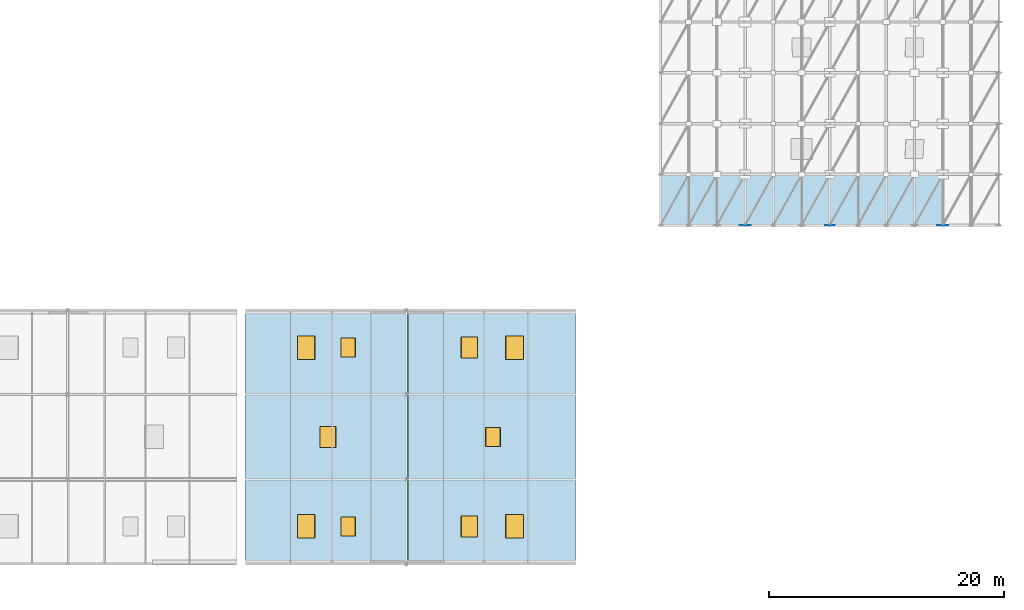
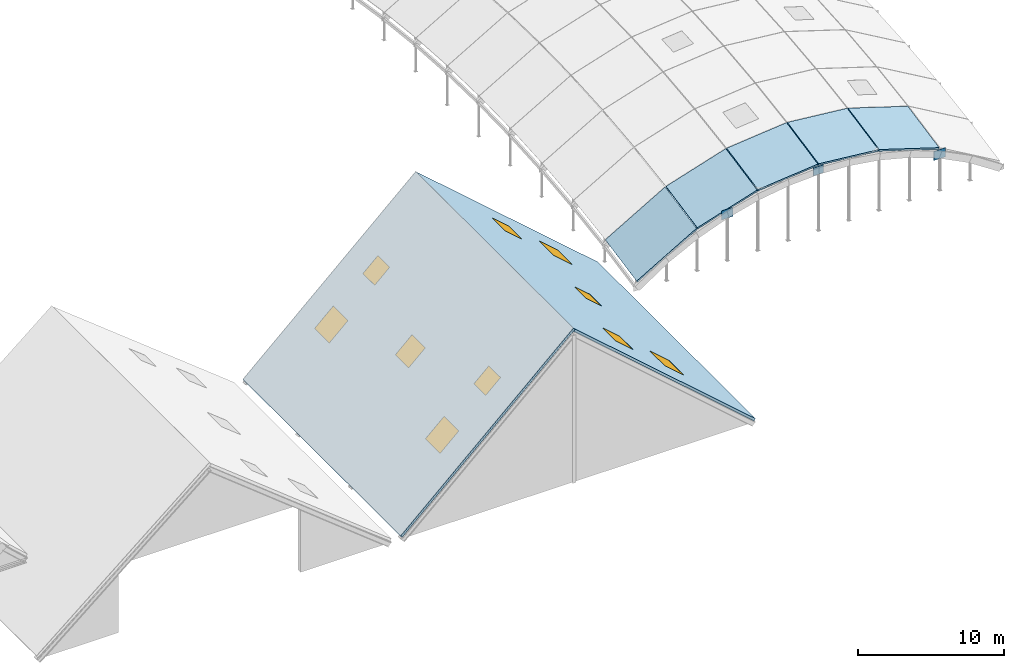
# One storey, part 21 of 35: 10 windows, 7 slabs, 3 plates, 10 openings.
"""IFC4 building model written with IfcOpenShell, lengths in metres."""

import ifcopenshell
import ifcopenshell.guid

model = None  # the IFC model being written
_history = None  # IfcOwnerHistory: only IFC2X3 demands one
_inside = {}  # id of a spatial element -> (the spatial element, [elements in it])
_under = {}  # id of a project, library or spatial element -> (it, [spatial elements below it])
_declared = {}  # id of a project -> (the project, [libraries it declares])
_typed = {}  # id of a type object -> (the type object, [elements of that type])
_made_of = {}  # id of a material, layer set ... -> (it, [elements and type objects made of it])


def new_model(schema):
    """Start an empty IFC model of exactly this schema.

    Asked for "IFC4X3", IfcOpenShell would pick the latest addendum, in which some entities
    have other attributes; the version numbers below select the first issue.
    IFC2X3 requires an IfcOwnerHistory on every rooted entity: one is made here for all.
    """
    global model, _history
    if schema == "IFC4X3":
        model = ifcopenshell.file(schema_version=(4, 3, 0, 0))
    else:
        model = ifcopenshell.file(schema=schema)
    _inside.clear()
    _under.clear()
    _declared.clear()
    _typed.clear()
    _made_of.clear()
    _history = None
    if model.schema == "IFC2X3":
        org = make("IfcOrganization", Name="unknown")
        user = make(
            "IfcPersonAndOrganization",
            ThePerson=make("IfcPerson", FamilyName="unknown"),
            TheOrganization=org,
        )
        app = make(
            "IfcApplication",
            ApplicationDeveloper=org,
            Version="unknown",
            ApplicationFullName="unknown",
            ApplicationIdentifier="unknown",
        )
        _history = make(
            "IfcOwnerHistory",
            OwningUser=user,
            OwningApplication=app,
            ChangeAction="ADDED",
            CreationDate=0,
        )
    return model


def make(cls, **values):
    """One entity of the class cls with the attributes given. An attribute that is None is left unset."""
    return model.create_entity(
        cls, **{name: value for name, value in values.items() if value is not None}
    )


def rooted(cls, **values):
    """An entity with a GlobalId (a new one), such as an element, a storey or a relation."""
    return make(cls, GlobalId=ifcopenshell.guid.new(), OwnerHistory=_history, **values)


def si_unit(unit_type, name, prefix=None):
    """IfcSIUnit, for example si_unit("LENGTHUNIT", "METRE", prefix="MILLI")."""
    return make("IfcSIUnit", UnitType=unit_type, Prefix=prefix, Name=name)


def assignment(units):
    """IfcUnitAssignment: the units of a project."""
    return None if units is None else make("IfcUnitAssignment", Units=units)


def point(xyz):
    """IfcCartesianPoint."""
    return None if xyz is None else make("IfcCartesianPoint", Coordinates=xyz)


def direction(xyz):
    """IfcDirection."""
    return None if xyz is None else make("IfcDirection", DirectionRatios=xyz)


def frame(location, z_axis=None, x_axis=None):
    """IfcAxis2Placement3D, a coordinate frame: its origin and axes. An axis left out is left unset."""
    return make(
        "IfcAxis2Placement3D",
        Location=point(location),
        Axis=direction(z_axis),
        RefDirection=direction(x_axis),
    )


def frame_2d(location, x_axis=None):
    """IfcAxis2Placement2D, a coordinate frame in the plane: its origin and x axis."""
    return make(
        "IfcAxis2Placement2D", Location=point(location), RefDirection=direction(x_axis)
    )


def origin():
    """The frame at (0, 0, 0) with its axes left unset."""
    return frame((0.0, 0.0, 0.0))


def origin_2d():
    """The frame at (0, 0) in the plane with its x axis left unset."""
    return frame_2d((0.0, 0.0))


def place(relative_to, where):
    """IfcLocalPlacement: puts the frame where relative to a parent placement (None: the world)."""
    return make(
        "IfcLocalPlacement", PlacementRelTo=relative_to, RelativePlacement=where
    )


def context(
    kind, dimensions, precision=None, world=None, true_north=None, identifier=None
):
    """IfcGeometricRepresentationContext, for example the 3D "Model" context."""
    return make(
        "IfcGeometricRepresentationContext",
        ContextIdentifier=identifier,
        ContextType=kind,
        CoordinateSpaceDimension=dimensions,
        Precision=precision,
        WorldCoordinateSystem=world,
        TrueNorth=true_north,
    )


def subcontext(parent, identifier, kind, view, scale=None):
    """IfcGeometricRepresentationSubContext, for example "Body" below "Model"."""
    return make(
        "IfcGeometricRepresentationSubContext",
        ContextIdentifier=identifier,
        ContextType=kind,
        ParentContext=parent,
        TargetScale=scale,
        TargetView=view,
    )


def project(units=None, contexts=None):
    """IfcProject with its units and contexts."""
    return rooted(
        "IfcProject",
        Name="project",
        RepresentationContexts=contexts,
        UnitsInContext=assignment(units),
    )


def spatial(cls, under=None, at=None, **own):
    """A site, building, storey or space (cls), placed at a placement, below another one or the project."""
    s = rooted(cls, ObjectPlacement=at, **own)
    if under is not None:
        _under.setdefault(under.id(), (under, []))[1].append(s)
    return s


def polyline(points):
    """IfcPolyline through the points."""
    return make("IfcPolyline", Points=[point(p) for p in points])


def profile(cls, at=None, kind="AREA", **sizes):
    """A parametric profile (cls). Its sizes go by their IFC names, for example OverallWidth=200.0."""
    return make(cls, ProfileType=kind, Position=at, **sizes)


def rectangle(**sizes):
    """IfcRectangleProfileDef."""
    return profile("IfcRectangleProfileDef", **sizes)


def outline(outer, holes=None, kind="AREA"):
    """IfcArbitraryClosedProfileDef: a profile drawn as a closed curve; with holes, ...WithVoids."""
    if holes is None:
        return make("IfcArbitraryClosedProfileDef", ProfileType=kind, OuterCurve=outer)
    return make(
        "IfcArbitraryProfileDefWithVoids",
        ProfileType=kind,
        OuterCurve=outer,
        InnerCurves=holes,
    )


def extrude(swept, where, along, depth):
    """IfcExtrudedAreaSolid: the profile swept, set in the frame where, extruded along a direction by depth."""
    return make(
        "IfcExtrudedAreaSolid",
        SweptArea=swept,
        Position=where,
        ExtrudedDirection=direction(along),
        Depth=depth,
    )


def shape(context_of_items, identifier, shape_type, items):
    """IfcShapeRepresentation: the items that make up one representation, for example the "Body"."""
    return make(
        "IfcShapeRepresentation",
        ContextOfItems=context_of_items,
        RepresentationIdentifier=identifier,
        RepresentationType=shape_type,
        Items=items,
    )


def material(Name=None, Category=None):
    """IfcMaterial."""
    return make("IfcMaterial", Name=Name, Category=Category)


def layer(
    of_material, thickness, ventilated=None, Name=None, Category=None, Priority=None
):
    """IfcMaterialLayer: one layer of a wall or slab, of a material (None: an air gap)."""
    return make(
        "IfcMaterialLayer",
        Material=of_material,
        LayerThickness=thickness,
        IsVentilated=ventilated,
        Name=Name,
        Category=Category,
        Priority=Priority,
    )


def layer_set(layers, Name=None):
    """IfcMaterialLayerSet."""
    return make("IfcMaterialLayerSet", MaterialLayers=layers, LayerSetName=Name)


def made_of(thing, what):
    """Note that an element or type object is made of a material, layer set ...; save() writes the relation."""
    if what is not None:
        _made_of.setdefault(what.id(), (what, []))[1].append(thing)
    return thing


def type_object(cls, material=None, **own):
    """A type object (cls), such as IfcWallType, which elements share."""
    return made_of(rooted(cls, **own), material)


def element(
    cls,
    number,
    at=None,
    inside=None,
    cuts=None,
    type_object=None,
    material=None,
    context=None,
    identifier="Body",
    shape_type=None,
    held_by="IfcProductDefinitionShape",
    body=None,
    shapes=None,
    **own,
):
    """One element of the class cls, such as IfcWall. Its Tag is "e" and its number.

    at: its placement. inside: the storey or other place that contains it. cuts: it is an
    opening in that element (IfcRelVoidsElement). A single representation is given by context,
    identifier, shape_type and body (its items); several are given by shapes. held_by: the class
    of the entity that holds the representations. save() writes the other relations.
    """
    e = rooted(cls, Tag="e%d" % number, ObjectPlacement=at, **own)
    if body is not None:
        shapes = [shape(context, identifier, shape_type, body)]
    if shapes is not None:
        e.Representation = make(held_by, Representations=shapes)
    if inside is not None:
        _inside.setdefault(inside.id(), (inside, []))[1].append(e)
    if cuts is not None:
        rooted(
            "IfcRelVoidsElement", RelatingBuildingElement=cuts, RelatedOpeningElement=e
        )
    if type_object is not None:
        _typed.setdefault(type_object.id(), (type_object, []))[1].append(e)
    return made_of(e, material)


def fill(opening, filler):
    """IfcRelFillsElement: the door or window that sits in an opening."""
    return rooted(
        "IfcRelFillsElement",
        RelatingOpeningElement=opening,
        RelatedBuildingElement=filler,
    )


def aggregate(whole, parts):
    """IfcRelAggregates: a whole, such as a stair, and the parts it consists of."""
    return rooted("IfcRelAggregates", RelatingObject=whole, RelatedObjects=parts)


def save(model, path):
    """Write the relations noted so far, then the file.

    IfcRelAggregates (storeys below a building ...), IfcRelContainedInSpatialStructure (elements
    in a storey), IfcRelDefinesByType, IfcRelAssociatesMaterial and IfcRelDeclares: one each for
    every whole, place, type object, material and project.
    """
    for whole, parts in _under.values():
        aggregate(whole, parts)
    for where, things in _inside.values():
        rooted(
            "IfcRelContainedInSpatialStructure",
            RelatedElements=things,
            RelatingStructure=where,
        )
    for kind, things in _typed.values():
        rooted("IfcRelDefinesByType", RelatedObjects=things, RelatingType=kind)
    for what, things in _made_of.values():
        rooted("IfcRelAssociatesMaterial", RelatedObjects=things, RelatingMaterial=what)
    for by, libraries in _declared.values():
        rooted("IfcRelDeclares", RelatingContext=by, RelatedDefinitions=libraries)
    model.write(path)


model = new_model("IFC4")

# Units and contexts
model_context = context("Model", 3, precision=1e-05, world=origin(), true_north=direction((0.0, 1.0)))
body_context = subcontext(model_context, "Body", "Model", "MODEL_VIEW")
ifc_project = project(units=[si_unit("LENGTHUNIT", "METRE"), si_unit("AREAUNIT", "SQUARE_METRE"), si_unit("VOLUMEUNIT", "CUBIC_METRE"), si_unit("PLANEANGLEUNIT", "RADIAN"), si_unit("MASSUNIT", "GRAM", prefix="KILO")], contexts=[model_context])

# Site, building, storey
site_placement = place(None, origin())
site = spatial("IfcSite", under=ifc_project, at=site_placement, CompositionType="ELEMENT")
building_placement = place(site_placement, origin())
building = spatial("IfcBuilding", under=site, at=building_placement, Name="Zarrinpeak Specialist Clinic", CompositionType="ELEMENT")
storey_placement = place(building_placement, frame((0.0, 0.0, 31.60009765625)))
storey = spatial("IfcBuildingStorey", under=building, at=storey_placement, Name="RF", CompositionType="ELEMENT", Elevation=31.60009765625)

# Plates
ifc_material_1 = material(Name="Steel S355", Category="steel")
ifc_layer_1 = layer(ifc_material_1, 0.014892578125)
ifc_layer_set_1 = layer_set([ifc_layer_1], Name="Steel S355")
plate_type_1 = type_object("IfcPlateType", Name="PL-ND25", PredefinedType="SHEET", material=ifc_layer_set_1)
plate_1_placement = place(storey_placement, frame((108.0, 28.800048828125, -13.132568359375), z_axis=(0.0, 0.0, 1.0), x_axis=(1.0, 0.0, 0.0)))
element("IfcPlate", 1, at=plate_1_placement, inside=storey, type_object=plate_type_1, Name="V3 Gridshell Hub Node Plate GSN-I06-J00", PredefinedType="SHEET", context=body_context, shape_type="SweptSolid", body=[
    extrude(rectangle(XDim=0.81494140625, YDim=0.014892578125, at=origin_2d()), origin(), (0.0, 0.0, 1.0), 0.6650390625),
])
ifc_layer_2 = layer(ifc_material_1, 0.014892578125)
ifc_layer_set_2 = layer_set([ifc_layer_2], Name="Steel S355")
plate_type_2 = type_object("IfcPlateType", Name="PL-ND30", PredefinedType="SHEET", material=ifc_layer_set_2)
plate_2_placement = place(storey_placement, frame((100.800048828125, 28.800048828125, -14.280517578125), z_axis=(0.0, 0.0, 1.0), x_axis=(1.0, 0.0, 0.0)))
element("IfcPlate", 2, at=plate_2_placement, inside=storey, type_object=plate_type_2, Name="V3 Gridshell Hub Node Plate GSN-I03-J00", PredefinedType="SHEET", context=body_context, shape_type="SweptSolid", body=[
    extrude(rectangle(XDim=0.919921875, YDim=0.014892578125, at=origin_2d()), origin(), (0.0, 0.0, 1.0), 0.75),
])
ifc_layer_3 = layer(ifc_material_1, 0.01708984375)
ifc_layer_set_3 = layer_set([ifc_layer_3], Name="Steel S355")
plate_type_3 = type_object("IfcPlateType", Name="PL-ND31", PredefinedType="SHEET", material=ifc_layer_set_3)
plate_3_placement = place(storey_placement, frame((117.60009765625, 28.800048828125, -15.187255859375), z_axis=(0.0, 0.0, 1.0), x_axis=(1.0, 0.0, 0.0)))
element("IfcPlate", 3, at=plate_3_placement, inside=storey, type_object=plate_type_3, Name="V3 Gridshell Hub Node Plate GSN-I10-J00", PredefinedType="SHEET", context=body_context, shape_type="SweptSolid", body=[
    extrude(rectangle(XDim=0.94091796875, YDim=0.01708984375, at=origin_2d()), origin(), (0.0, 0.0, 1.0), 0.76708984375),
])

# Slabs
ifc_material_2 = material(Name="Precast concrete C40/50", Category="concrete")
ifc_layer_4 = layer(ifc_material_2, 0.1650390625)
ifc_layer_set_4 = layer_set([ifc_layer_4], Name="Precast concrete C40/50")
slab_type_1 = type_object("IfcSlabType", Name="SL-GS165", PredefinedType="ROOF", material=ifc_layer_set_4)
slab_1_placement = place(storey_placement, frame((98.431884765625, 28.81201171875, -14.26708984375), z_axis=(-0.296285029109, -0.187300199947, 0.936554225139), x_axis=(0.953427294255, 0.0, 0.301622934422)))
element("IfcSlab", 4, at=slab_1_placement, inside=storey, type_object=slab_type_1, Name="V3 Translational Gridshell Vault Roof Panel K01-J00", PredefinedType="ROOF", context=body_context, shape_type="SweptSolid", body=[
    extrude(outline(polyline([(0.0, 0.0), (4.9674306713386525, 0.0), (5.226564242195487, 4.373293840036404), (0.2591335708568345, 4.373293840036404), (0.0, 0.0)])), origin(), (0.0, 0.0, -1.0), 0.1650390625),
])
slab_2_placement = place(storey_placement, frame((103.23193359375, 28.81201171875, -12.755859375), z_axis=(-0.098540727053, -0.195204299692, 0.975799675391), x_axis=(0.994939726955, 0.0, 0.100473577252)))
element("IfcSlab", 5, at=slab_2_placement, inside=storey, type_object=slab_type_1, Name="V3 Translational Gridshell Vault Roof Panel K02-J00", PredefinedType="ROOF", context=body_context, shape_type="SweptSolid", body=[
    extrude(outline(polyline([(0.0, 0.0), (4.760171753184925, 1.3877787807814457e-17), (4.846516233635607, 4.38016134481775), (0.08634448045068226, 4.38016134481775), (0.0, 0.0)])), origin(), (0.0, 0.0, -1.0), 0.1650390625),
])
slab_3_placement = place(storey_placement, frame((108.031982421875, 28.81201171875, -12.277587890625), z_axis=(0.098540727053, -0.195204299692, 0.975799675391), x_axis=(0.994939726955, 0.0, -0.100473577252)))
element("IfcSlab", 6, at=slab_3_placement, inside=storey, type_object=slab_type_1, Name="V3 Translational Gridshell Vault Roof Panel K03-J00", PredefinedType="ROOF", context=body_context, shape_type="SweptSolid", body=[
    extrude(outline(polyline([(0.0, 0.0), (4.760171753184925, -1.3877787807814457e-17), (4.6738272727342425, 4.38016134481775), (-0.08634448045068226, 4.38016134481775), (0.0, 0.0)])), origin(), (0.0, 0.0, -1.0), 0.1650390625),
])
slab_4_placement = place(storey_placement, frame((112.83203125, 28.81201171875, -12.768798828125), z_axis=(0.296285029109, -0.187300199947, 0.936554225139), x_axis=(0.953427294255, 0.0, -0.301622934422)))
element("IfcSlab", 7, at=slab_4_placement, inside=storey, type_object=slab_type_1, Name="V3 Translational Gridshell Vault Roof Panel K04-J00", PredefinedType="ROOF", context=body_context, shape_type="SweptSolid", body=[
    extrude(outline(polyline([(0.0, 0.0), (4.9674306713386525, 0.0), (4.7082971004818175, 4.373293840036404), (-0.2591335708568345, 4.373293840036404), (0.0, 0.0)])), origin(), (0.0, 0.0, -1.0), 0.1650390625),
])
ifc_layer_5 = layer(ifc_material_2, 0.179931640625)
ifc_layer_set_5 = layer_set([ifc_layer_5], Name="Precast concrete C40/50")
slab_type_2 = type_object("IfcSlabType", Name="SL-GS180", PredefinedType="ROOF", material=ifc_layer_set_5)
slab_5_placement = place(storey_placement, frame((93.632080078125, 28.81201171875, -17.053466796875), z_axis=(-0.495952751422, -0.170311308346, 0.851483955578), x_axis=(0.864108593221, -3.230026e-06, 0.503305413353)))
element("IfcSlab", 8, at=slab_5_placement, inside=storey, type_object=slab_type_2, Name="V3 Translational Gridshell Vault Roof Panel K00-J00", PredefinedType="ROOF", context=body_context, shape_type="SweptSolid", body=[
    extrude(outline(polyline([(0.0, 0.0), (5.480547619963781, -5.551115123125783e-17), (5.913061833699616, 4.3596100995447635), (0.43239133643765215, 4.3595741695967645), (0.0, 0.0)])), origin(), (0.0, 0.0, -1.0), 0.179931640625),
])

# Slab, openings, windows
ifc_material_3 = material(Name="Concrete C35/45", Category="concrete")
ifc_layer_6 = layer(ifc_material_3, 0.18994140625)
ifc_layer_set_6 = layer_set([ifc_layer_6], Name="Concrete C35/45")
slab_type_3 = type_object("IfcSlabType", Name="SL-ROOF190", PredefinedType="ROOF", material=ifc_layer_set_6)
slab_6_placement = place(storey_placement, frame((58.320068359375, 0.0, -8.544677734375), z_axis=(-0.67747332509, 0.0, 0.735547342998), x_axis=(0.735547342998, 0.0, 0.67747332509)))
slab_6 = element("IfcSlab", 9, at=slab_6_placement, inside=storey, type_object=slab_type_3, Name="V4 West Pitched Gable Roof Slab", PredefinedType="ROOF", context=body_context, shape_type="SweptSolid", body=[
    extrude(outline(polyline([(0.0, 0.0), (18.598302027534142, 0.0), (18.598302027534142, 21.60009765625), (0.0, 21.60009765625), (0.0, 0.0)])), origin(), (0.0, 0.0, -1.0), 0.18994140625),
])
opening_1_placement = place(slab_6_placement, frame((6.993408203125, 3.199951171875, 0.0)))
opening_1 = element("IfcOpeningElement", 10, at=opening_1_placement, cuts=slab_6, Name="Opening SK-02", PredefinedType="OPENING", context=body_context, shape_type="SweptSolid", body=[
    extrude(rectangle(XDim=2.0, YDim=2.0, at=origin_2d()), frame((0.0, 0.0, 0.010009765625), z_axis=(0.0, 0.0, 1.0), x_axis=(1.0, 0.0, 0.0)), (0.0, 0.0, -1.0), 0.2099609375),
])
opening_2_placement = place(slab_6_placement, frame((11.8359375, 3.199951171875, 0.0)))
opening_2 = element("IfcOpeningElement", 11, at=opening_2_placement, cuts=slab_6, Name="Opening SK-01", PredefinedType="OPENING", context=body_context, shape_type="SweptSolid", body=[
    extrude(rectangle(XDim=1.60009765625, YDim=1.60009765625, at=origin_2d()), frame((0.0, 0.0, 0.010009765625), z_axis=(0.0, 0.0, 1.0), x_axis=(1.0, 0.0, 0.0)), (0.0, 0.0, -1.0), 0.2099609375),
])
opening_3_placement = place(slab_6_placement, frame((9.5302734375, 10.800048828125, 0.0)))
opening_3 = element("IfcOpeningElement", 12, at=opening_3_placement, cuts=slab_6, Name="Opening SK-03", PredefinedType="OPENING", context=body_context, shape_type="SweptSolid", body=[
    extrude(rectangle(XDim=1.800048828125, YDim=1.800048828125, at=origin_2d()), frame((0.0, 0.0, 0.010009765625), z_axis=(0.0, 0.0, 1.0), x_axis=(1.0, 0.0, 0.0)), (0.0, 0.0, -1.0), 0.2099609375),
])
opening_4_placement = place(slab_6_placement, frame((6.993408203125, 18.39990234375, 0.0)))
opening_4 = element("IfcOpeningElement", 13, at=opening_4_placement, cuts=slab_6, Name="Opening SK-02", PredefinedType="OPENING", context=body_context, shape_type="SweptSolid", body=[
    extrude(rectangle(XDim=2.0, YDim=2.0, at=origin_2d()), frame((0.0, 0.0, 0.010009765625), z_axis=(0.0, 0.0, 1.0), x_axis=(1.0, 0.0, 0.0)), (0.0, 0.0, -1.0), 0.2099609375),
])
opening_5_placement = place(slab_6_placement, frame((11.8359375, 18.39990234375, 0.0)))
opening_5 = element("IfcOpeningElement", 14, at=opening_5_placement, cuts=slab_6, Name="Opening SK-01", PredefinedType="OPENING", context=body_context, shape_type="SweptSolid", body=[
    extrude(rectangle(XDim=1.60009765625, YDim=1.60009765625, at=origin_2d()), frame((0.0, 0.0, 0.010009765625), z_axis=(0.0, 0.0, 1.0), x_axis=(1.0, 0.0, 0.0)), (0.0, 0.0, -1.0), 0.2099609375),
])
ifc_material_4 = material(Name="Thermally Broken Aluminium and Low-E Glazing", Category="aluminium")
window_type_1 = type_object("IfcWindowType", Name="WN-SKY160", PartitioningType="SINGLE_PANEL", PredefinedType="SKYLIGHT", material=ifc_material_4)
window_1_placement = place(opening_2_placement, frame((0.0, 0.0, -0.0048828125)))
window_1 = element("IfcWindow", 15, at=window_1_placement, inside=storey, type_object=window_type_1, Name="V4 Scattered Square Roof Skylight SKY-RF-024", OverallHeight=1.60009765625, OverallWidth=1.60009765625, PartitioningType="SINGLE_PANEL", PredefinedType="SKYLIGHT", context=body_context, shape_type="SweptSolid", body=[
    extrude(rectangle(XDim=1.60009765625, YDim=1.60009765625, at=origin_2d()), origin(), (0.0, 0.0, -1.0), 0.06005859375),
])
fill(opening_2, window_1)
window_2_placement = place(opening_5_placement, frame((0.0, 0.0, -0.0048828125)))
window_2 = element("IfcWindow", 16, at=window_2_placement, inside=storey, type_object=window_type_1, Name="V4 Scattered Square Roof Skylight SKY-RF-027", OverallHeight=1.60009765625, OverallWidth=1.60009765625, PartitioningType="SINGLE_PANEL", PredefinedType="SKYLIGHT", context=body_context, shape_type="SweptSolid", body=[
    extrude(rectangle(XDim=1.60009765625, YDim=1.60009765625, at=origin_2d()), origin(), (0.0, 0.0, -1.0), 0.06005859375),
])
fill(opening_5, window_2)
window_type_2 = type_object("IfcWindowType", Name="WN-SKY180", PartitioningType="SINGLE_PANEL", PredefinedType="SKYLIGHT", material=ifc_material_4)
window_3_placement = place(opening_3_placement, frame((0.0, 0.0, -0.0048828125)))
window_3 = element("IfcWindow", 17, at=window_3_placement, inside=storey, type_object=window_type_2, Name="V4 Scattered Square Roof Skylight SKY-RF-025", OverallHeight=1.800048828125, OverallWidth=1.800048828125, PartitioningType="SINGLE_PANEL", PredefinedType="SKYLIGHT", context=body_context, shape_type="SweptSolid", body=[
    extrude(rectangle(XDim=1.800048828125, YDim=1.800048828125, at=origin_2d()), origin(), (0.0, 0.0, -1.0), 0.06005859375),
])
fill(opening_3, window_3)
window_type_3 = type_object("IfcWindowType", Name="WN-SKY200", PartitioningType="SINGLE_PANEL", PredefinedType="SKYLIGHT", material=ifc_material_4)
window_4_placement = place(opening_1_placement, frame((0.0, 0.0, -0.0048828125)))
window_4 = element("IfcWindow", 18, at=window_4_placement, inside=storey, type_object=window_type_3, Name="V4 Scattered Square Roof Skylight SKY-RF-023", OverallHeight=2.0, OverallWidth=2.0, PartitioningType="SINGLE_PANEL", PredefinedType="SKYLIGHT", context=body_context, shape_type="SweptSolid", body=[
    extrude(rectangle(XDim=2.0, YDim=2.0, at=origin_2d()), origin(), (0.0, 0.0, -1.0), 0.06005859375),
])
fill(opening_1, window_4)
window_5_placement = place(opening_4_placement, frame((0.0, 0.0, -0.0048828125)))
window_5 = element("IfcWindow", 19, at=window_5_placement, inside=storey, type_object=window_type_3, Name="V4 Scattered Square Roof Skylight SKY-RF-026", OverallHeight=2.0, OverallWidth=2.0, PartitioningType="SINGLE_PANEL", PredefinedType="SKYLIGHT", context=body_context, shape_type="SweptSolid", body=[
    extrude(rectangle(XDim=2.0, YDim=2.0, at=origin_2d()), origin(), (0.0, 0.0, -1.0), 0.06005859375),
])
fill(opening_4, window_5)

slab_7_placement = place(storey_placement, frame((72.0, 0.0, 4.05517578125), z_axis=(0.658502801218, 0.0, 0.752578275522), x_axis=(0.752578275522, 0.0, -0.658502801218)))
slab_7 = element("IfcSlab", 20, at=slab_7_placement, inside=storey, type_object=slab_type_3, Name="V4 East Pitched Gable Roof Slab", PredefinedType="ROOF", context=body_context, shape_type="SweptSolid", body=[
    extrude(outline(polyline([(0.0, 0.0), (19.134092508523743, 0.0), (19.134092508523743, 21.60009765625), (0.0, 21.60009765625), (0.0, 0.0)])), origin(), (0.0, 0.0, -1.0), 0.18994140625),
])
opening_6_placement = place(slab_7_placement, frame((7.122314453125, 3.199951171875, 0.0)))
opening_6 = element("IfcOpeningElement", 21, at=opening_6_placement, cuts=slab_7, Name="Opening SK-03", PredefinedType="OPENING", context=body_context, shape_type="SweptSolid", body=[
    extrude(rectangle(XDim=1.800048828125, YDim=1.800048828125, at=origin_2d()), frame((0.0, 0.0, 0.010009765625), z_axis=(0.0, 0.0, 1.0), x_axis=(1.0, 0.0, 0.0)), (0.0, 0.0, -1.0), 0.2099609375),
])
opening_7_placement = place(slab_7_placement, frame((12.256591796875, 3.199951171875, 0.0)))
opening_7 = element("IfcOpeningElement", 22, at=opening_7_placement, cuts=slab_7, Name="Opening SK-02", PredefinedType="OPENING", context=body_context, shape_type="SweptSolid", body=[
    extrude(rectangle(XDim=2.0, YDim=2.0, at=origin_2d()), frame((0.0, 0.0, 0.010009765625), z_axis=(0.0, 0.0, 1.0), x_axis=(1.0, 0.0, 0.0)), (0.0, 0.0, -1.0), 0.2099609375),
])
opening_8_placement = place(slab_7_placement, frame((9.8115234375, 10.800048828125, 0.0)))
opening_8 = element("IfcOpeningElement", 23, at=opening_8_placement, cuts=slab_7, Name="Opening SK-01", PredefinedType="OPENING", context=body_context, shape_type="SweptSolid", body=[
    extrude(rectangle(XDim=1.60009765625, YDim=1.60009765625, at=origin_2d()), frame((0.0, 0.0, 0.010009765625), z_axis=(0.0, 0.0, 1.0), x_axis=(1.0, 0.0, 0.0)), (0.0, 0.0, -1.0), 0.2099609375),
])
opening_9_placement = place(slab_7_placement, frame((7.122314453125, 18.39990234375, 0.0)))
opening_9 = element("IfcOpeningElement", 24, at=opening_9_placement, cuts=slab_7, Name="Opening SK-03", PredefinedType="OPENING", context=body_context, shape_type="SweptSolid", body=[
    extrude(rectangle(XDim=1.800048828125, YDim=1.800048828125, at=origin_2d()), frame((0.0, 0.0, 0.010009765625), z_axis=(0.0, 0.0, 1.0), x_axis=(1.0, 0.0, 0.0)), (0.0, 0.0, -1.0), 0.2099609375),
])
opening_10_placement = place(slab_7_placement, frame((12.256591796875, 18.39990234375, 0.0)))
opening_10 = element("IfcOpeningElement", 25, at=opening_10_placement, cuts=slab_7, Name="Opening SK-02", PredefinedType="OPENING", context=body_context, shape_type="SweptSolid", body=[
    extrude(rectangle(XDim=2.0, YDim=2.0, at=origin_2d()), frame((0.0, 0.0, 0.010009765625), z_axis=(0.0, 0.0, 1.0), x_axis=(1.0, 0.0, 0.0)), (0.0, 0.0, -1.0), 0.2099609375),
])
window_6_placement = place(opening_8_placement, frame((0.0, 0.0, -0.0048828125)))
window_6 = element("IfcWindow", 26, at=window_6_placement, inside=storey, type_object=window_type_1, Name="V4 Scattered Square Roof Skylight SKY-RF-030", OverallHeight=1.60009765625, OverallWidth=1.60009765625, PartitioningType="SINGLE_PANEL", PredefinedType="SKYLIGHT", context=body_context, shape_type="SweptSolid", body=[
    extrude(rectangle(XDim=1.60009765625, YDim=1.60009765625, at=origin_2d()), origin(), (0.0, 0.0, -1.0), 0.06005859375),
])
fill(opening_8, window_6)
window_7_placement = place(opening_6_placement, frame((0.0, 0.0, -0.0048828125)))
window_7 = element("IfcWindow", 27, at=window_7_placement, inside=storey, type_object=window_type_2, Name="V4 Scattered Square Roof Skylight SKY-RF-028", OverallHeight=1.800048828125, OverallWidth=1.800048828125, PartitioningType="SINGLE_PANEL", PredefinedType="SKYLIGHT", context=body_context, shape_type="SweptSolid", body=[
    extrude(rectangle(XDim=1.800048828125, YDim=1.800048828125, at=origin_2d()), origin(), (0.0, 0.0, -1.0), 0.06005859375),
])
fill(opening_6, window_7)
window_8_placement = place(opening_9_placement, frame((0.0, 0.0, -0.0048828125)))
window_8 = element("IfcWindow", 28, at=window_8_placement, inside=storey, type_object=window_type_2, Name="V4 Scattered Square Roof Skylight SKY-RF-031", OverallHeight=1.800048828125, OverallWidth=1.800048828125, PartitioningType="SINGLE_PANEL", PredefinedType="SKYLIGHT", context=body_context, shape_type="SweptSolid", body=[
    extrude(rectangle(XDim=1.800048828125, YDim=1.800048828125, at=origin_2d()), origin(), (0.0, 0.0, -1.0), 0.06005859375),
])
fill(opening_9, window_8)
window_9_placement = place(opening_7_placement, frame((0.0, 0.0, -0.0048828125)))
window_9 = element("IfcWindow", 29, at=window_9_placement, inside=storey, type_object=window_type_3, Name="V4 Scattered Square Roof Skylight SKY-RF-029", OverallHeight=2.0, OverallWidth=2.0, PartitioningType="SINGLE_PANEL", PredefinedType="SKYLIGHT", context=body_context, shape_type="SweptSolid", body=[
    extrude(rectangle(XDim=2.0, YDim=2.0, at=origin_2d()), origin(), (0.0, 0.0, -1.0), 0.06005859375),
])
fill(opening_7, window_9)
window_10_placement = place(opening_10_placement, frame((0.0, 0.0, -0.0048828125)))
window_10 = element("IfcWindow", 30, at=window_10_placement, inside=storey, type_object=window_type_3, Name="V4 Scattered Square Roof Skylight SKY-RF-032", OverallHeight=2.0, OverallWidth=2.0, PartitioningType="SINGLE_PANEL", PredefinedType="SKYLIGHT", context=body_context, shape_type="SweptSolid", body=[
    extrude(rectangle(XDim=2.0, YDim=2.0, at=origin_2d()), origin(), (0.0, 0.0, -1.0), 0.06005859375),
])
fill(opening_10, window_10)

save(model, "model.ifc")
